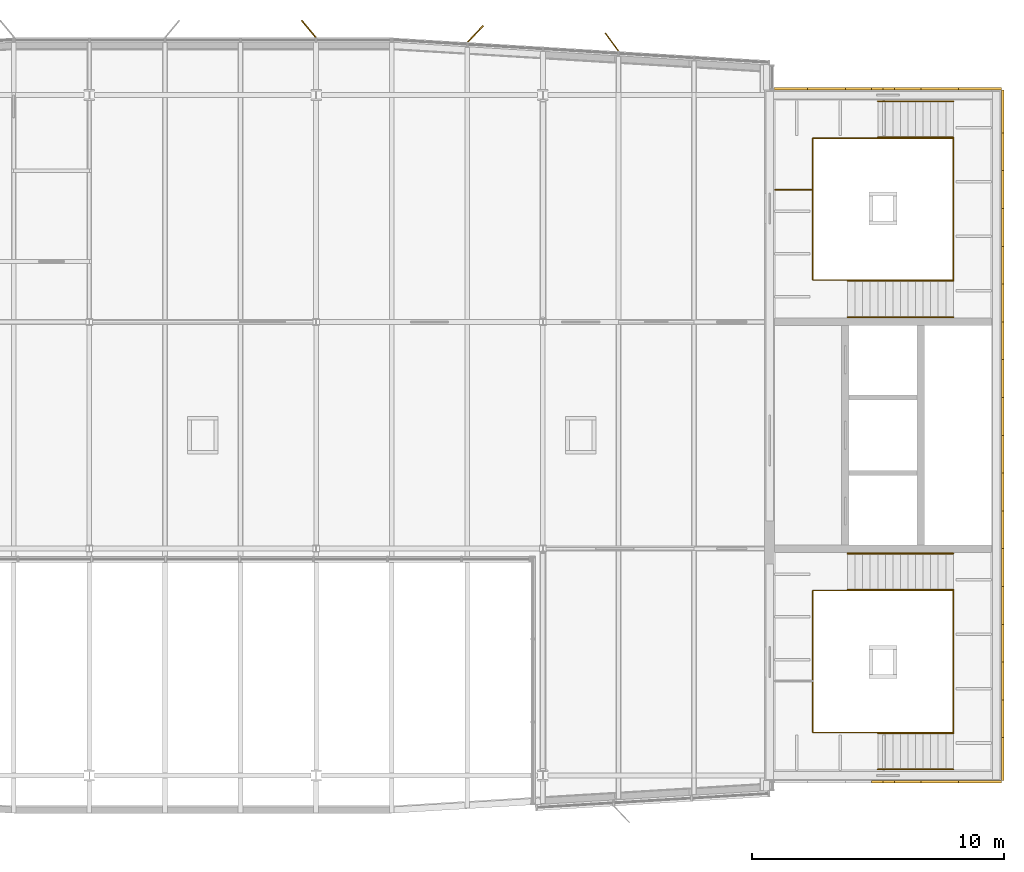
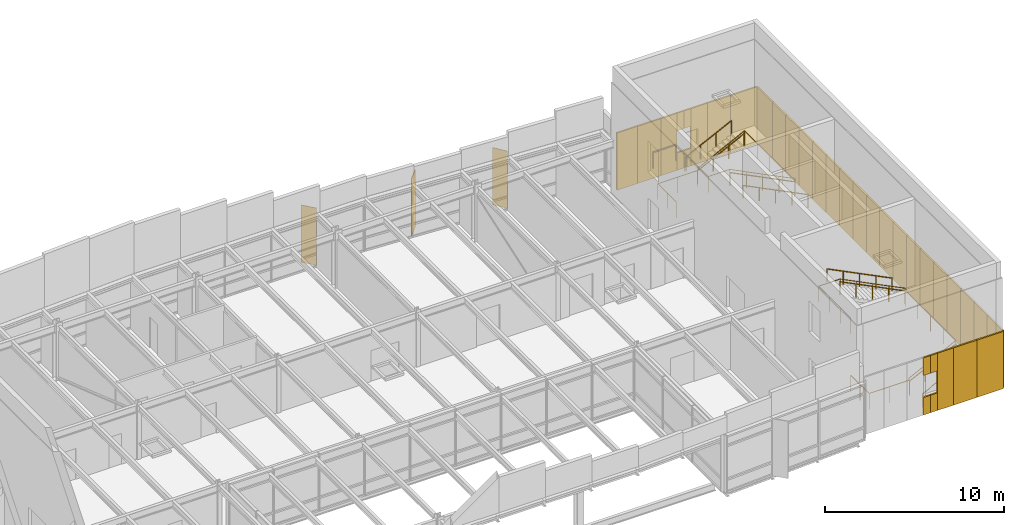
# One storey, part 23 of 23: 35 coverings, 11 railings, 3 shading devices.
"""IFC4 building model written with IfcOpenShell, lengths in metres."""

from ifc_helpers import new_model, si_unit, direction, frame, origin, origin_2d, place, context, subcontext, project, spatial, rectangle, circle, extrude, material, layer, layer_set, type_object, element, save


model = new_model("IFC4")

# Units and contexts
model_context = context("Model", 3, precision=1e-05, world=origin(), true_north=direction((0.0, 1.0)))
body_context = subcontext(model_context, "Body", "Model", "MODEL_VIEW")
ifc_project = project(units=[si_unit("LENGTHUNIT", "METRE"), si_unit("AREAUNIT", "SQUARE_METRE"), si_unit("VOLUMEUNIT", "CUBIC_METRE"), si_unit("PLANEANGLEUNIT", "RADIAN"), si_unit("MASSUNIT", "GRAM", prefix="KILO")], contexts=[model_context])

# Site, building, storey
site_placement = place(None, origin())
site = spatial("IfcSite", under=ifc_project, at=site_placement, CompositionType="ELEMENT")
building_placement = place(site_placement, origin())
building = spatial("IfcBuilding", under=site, at=building_placement, Name="Azimuth Sports and Learning Centre", CompositionType="ELEMENT")
storey_placement = place(building_placement, frame((0.0, 0.0, 75.300048828125)))
storey = spatial("IfcBuildingStorey", under=building, at=storey_placement, Name="L17", CompositionType="ELEMENT", Elevation=75.300048828125)

# Coverings
ifc_material_1 = material(Name="Cladding panel")
ifc_layer_1 = layer(ifc_material_1, 0.10009765625)
ifc_layer_set_1 = layer_set([ifc_layer_1], Name="Cladding panel")
covering_type = type_object("IfcCoveringType", Name="Cladding panel 100", PredefinedType="CLADDING", material=ifc_layer_set_1)
for number, where, z_axis, x_axis, name in (
    (1, (112.27490234375, 89.75, 0.0), (0.0, 0.0, 1.0), (1.0, 0.0, 0.0), "Cladding panel S-CORE E L17 4"),
    (2, (112.27490234375, 89.75, 2.7001953125), (0.0, 0.0, 1.0), (1.0, 0.0, 0.0), "Cladding panel S-CORE E L17 5"),
):
    element("IfcCovering", number, at=place(storey_placement, frame(where, z_axis=z_axis, x_axis=x_axis)), inside=storey, type_object=covering_type, Name=name, PredefinedType="CLADDING", context=body_context, shape_type="SweptSolid", body=[
        extrude(rectangle(XDim=0.449951171875, YDim=0.10009765625, at=origin_2d()), origin(), (0.0, 0.0, 1.0), 1.199951171875),
    ])
covering_1_placement = place(storey_placement, frame((113.47509765625, 89.75, 0.0), z_axis=(0.0, 0.0, 1.0), x_axis=(1.0, 0.0, 0.0)))
element("IfcCovering", 3, at=covering_1_placement, inside=storey, type_object=covering_type, Name="Cladding panel S-CORE E L17 6", PredefinedType="CLADDING", context=body_context, shape_type="SweptSolid", body=[
    extrude(rectangle(XDim=1.050048828125, YDim=0.10009765625, at=origin_2d()), origin(), (0.0, 0.0, 1.0), 3.89990234375),
])
for number, where, z_axis, x_axis, name in (
    (4, (112.72509765625, 89.75, 0.0), (0.0, 0.0, 1.0), (1.0, 0.0, 0.0), "Cladding panel S-CORE E L17 7"),
    (5, (112.72509765625, 89.75, 2.7001953125), (0.0, 0.0, 1.0), (1.0, 0.0, 0.0), "Cladding panel S-CORE E L17 8"),
):
    element("IfcCovering", number, at=place(storey_placement, frame(where, z_axis=z_axis, x_axis=x_axis)), inside=storey, type_object=covering_type, Name=name, PredefinedType="CLADDING", context=body_context, shape_type="SweptSolid", body=[
        extrude(rectangle(XDim=0.449951171875, YDim=0.10009765625, at=origin_2d()), origin(), (0.0, 0.0, 1.0), 1.199951171875),
    ])
covering_2_placement = place(storey_placement, frame((114.75, 89.75, 0.0), z_axis=(0.0, 0.0, 1.0), x_axis=(1.0, 0.0, 0.0)))
element("IfcCovering", 6, at=covering_2_placement, inside=storey, type_object=covering_type, Name="Cladding panel S-CORE E L17 9", PredefinedType="CLADDING", context=body_context, shape_type="SweptSolid", body=[
    extrude(rectangle(XDim=1.5, YDim=0.10009765625, at=origin_2d()), origin(), (0.0, 0.0, 1.0), 3.89990234375),
])
for number, where, z_axis, x_axis, name in (
    (7, (116.35009765625, 89.75, 0.0), (0.0, 0.0, 1.0), (1.0, 0.0, 0.0), "Cladding panel S-CORE E L17 10"),
    (8, (117.25, 90.64990234375, 0.0), (0.0, 0.0, 1.0), (0.0, 1.0, 0.0), "Cladding panel E-CORE E L17 1"),
):
    element("IfcCovering", number, at=place(storey_placement, frame(where, z_axis=z_axis, x_axis=x_axis)), inside=storey, type_object=covering_type, Name=name, PredefinedType="CLADDING", context=body_context, shape_type="SweptSolid", body=[
        extrude(rectangle(XDim=1.699951171875, YDim=0.10009765625, at=origin_2d()), origin(), (0.0, 0.0, 1.0), 3.89990234375),
    ])
for number, where, z_axis, x_axis, name in (
    (9, (117.25, 92.25, 0.0), (0.0, 0.0, 1.0), (0.0, 1.0, 0.0), "Cladding panel E-CORE E L17 2"),
    (10, (117.25, 93.75, 0.0), (0.0, 0.0, 1.0), (0.0, 1.0, 0.0), "Cladding panel E-CORE E L17 3"),
    (11, (117.25, 95.25, 0.0), (0.0, 0.0, 1.0), (0.0, 1.0, 0.0), "Cladding panel E-CORE E L17 4"),
    (12, (117.25, 96.75, 0.0), (0.0, 0.0, 1.0), (0.0, 1.0, 0.0), "Cladding panel E-CORE E L17 5"),
    (13, (117.25, 98.25, 0.0), (0.0, 0.0, 1.0), (0.0, 1.0, 0.0), "Cladding panel E-CORE E L17 6"),
    (14, (117.25, 99.75, 0.0), (0.0, 0.0, 1.0), (0.0, 1.0, 0.0), "Cladding panel E-CORE E L17 7"),
    (15, (117.25, 101.25, 0.0), (0.0, 0.0, 1.0), (0.0, 1.0, 0.0), "Cladding panel E-CORE E L17 8"),
    (16, (117.25, 102.75, 0.0), (0.0, 0.0, 1.0), (0.0, 1.0, 0.0), "Cladding panel E-CORE E L17 9"),
    (17, (117.25, 104.25, 0.0), (0.0, 0.0, 1.0), (0.0, 1.0, 0.0), "Cladding panel E-CORE E L17 10"),
    (18, (117.25, 105.75, 0.0), (0.0, 0.0, 1.0), (0.0, 1.0, 0.0), "Cladding panel E-CORE E L17 11"),
    (19, (117.25, 107.25, 0.0), (0.0, 0.0, 1.0), (0.0, 1.0, 0.0), "Cladding panel E-CORE E L17 12"),
    (20, (117.25, 108.75, 0.0), (0.0, 0.0, 1.0), (0.0, 1.0, 0.0), "Cladding panel E-CORE E L17 13"),
    (21, (117.25, 110.25, 0.0), (0.0, 0.0, 1.0), (0.0, 1.0, 0.0), "Cladding panel E-CORE E L17 14"),
    (22, (117.25, 111.75, 0.0), (0.0, 0.0, 1.0), (0.0, 1.0, 0.0), "Cladding panel E-CORE E L17 15"),
    (23, (117.25, 113.25, 0.0), (0.0, 0.0, 1.0), (0.0, 1.0, 0.0), "Cladding panel E-CORE E L17 16"),
    (24, (117.25, 114.75, 0.0), (0.0, 0.0, 1.0), (0.0, 1.0, 0.0), "Cladding panel E-CORE E L17 17"),
):
    element("IfcCovering", number, at=place(storey_placement, frame(where, z_axis=z_axis, x_axis=x_axis)), inside=storey, type_object=covering_type, Name=name, PredefinedType="CLADDING", context=body_context, shape_type="SweptSolid", body=[
        extrude(rectangle(XDim=1.5, YDim=0.10009765625, at=origin_2d()), origin(), (0.0, 0.0, 1.0), 3.89990234375),
    ])
for number, where, z_axis, x_axis, name in (
    (25, (117.25, 116.35009765625, 0.0), (0.0, 0.0, 1.0), (0.0, 1.0, 0.0), "Cladding panel E-CORE E L17 18"),
    (26, (116.35009765625, 117.25, 0.0), (0.0, 0.0, 1.0), (-1.0, 0.0, 0.0), "Cladding panel N-CORE E L17 1"),
):
    element("IfcCovering", number, at=place(storey_placement, frame(where, z_axis=z_axis, x_axis=x_axis)), inside=storey, type_object=covering_type, Name=name, PredefinedType="CLADDING", context=body_context, shape_type="SweptSolid", body=[
        extrude(rectangle(XDim=1.699951171875, YDim=0.10009765625, at=origin_2d()), origin(), (0.0, 0.0, 1.0), 3.89990234375),
    ])
covering_3_placement = place(storey_placement, frame((114.75, 117.25, 0.0), z_axis=(0.0, 0.0, 1.0), x_axis=(-1.0, 0.0, 0.0)))
element("IfcCovering", 27, at=covering_3_placement, inside=storey, type_object=covering_type, Name="Cladding panel N-CORE E L17 2", PredefinedType="CLADDING", context=body_context, shape_type="SweptSolid", body=[
    extrude(rectangle(XDim=1.5, YDim=0.10009765625, at=origin_2d()), origin(), (0.0, 0.0, 1.0), 3.89990234375),
])
covering_4_placement = place(storey_placement, frame((113.47509765625, 117.25, 0.0), z_axis=(0.0, 0.0, 1.0), x_axis=(-1.0, 0.0, 0.0)))
element("IfcCovering", 28, at=covering_4_placement, inside=storey, type_object=covering_type, Name="Cladding panel N-CORE E L17 3", PredefinedType="CLADDING", context=body_context, shape_type="SweptSolid", body=[
    extrude(rectangle(XDim=1.050048828125, YDim=0.10009765625, at=origin_2d()), origin(), (0.0, 0.0, 1.0), 3.89990234375),
])
for number, where, z_axis, x_axis, name in (
    (29, (112.72509765625, 117.25, 0.0), (0.0, 0.0, 1.0), (-1.0, 0.0, 0.0), "Cladding panel N-CORE E L17 4"),
    (30, (112.72509765625, 117.25, 2.7001953125), (0.0, 0.0, 1.0), (-1.0, 0.0, 0.0), "Cladding panel N-CORE E L17 5"),
):
    element("IfcCovering", number, at=place(storey_placement, frame(where, z_axis=z_axis, x_axis=x_axis)), inside=storey, type_object=covering_type, Name=name, PredefinedType="CLADDING", context=body_context, shape_type="SweptSolid", body=[
        extrude(rectangle(XDim=0.449951171875, YDim=0.10009765625, at=origin_2d()), origin(), (0.0, 0.0, 1.0), 1.199951171875),
    ])
covering_5_placement = place(storey_placement, frame((111.52490234375, 117.25, 0.0), z_axis=(0.0, 0.0, 1.0), x_axis=(-1.0, 0.0, 0.0)))
element("IfcCovering", 31, at=covering_5_placement, inside=storey, type_object=covering_type, Name="Cladding panel N-CORE E L17 6", PredefinedType="CLADDING", context=body_context, shape_type="SweptSolid", body=[
    extrude(rectangle(XDim=1.050048828125, YDim=0.10009765625, at=origin_2d()), origin(), (0.0, 0.0, 1.0), 3.89990234375),
])
for number, where, z_axis, x_axis, name in (
    (32, (112.27490234375, 117.25, 0.0), (0.0, 0.0, 1.0), (-1.0, 0.0, 0.0), "Cladding panel N-CORE E L17 7"),
    (33, (112.27490234375, 117.25, 2.7001953125), (0.0, 0.0, 1.0), (-1.0, 0.0, 0.0), "Cladding panel N-CORE E L17 8"),
):
    element("IfcCovering", number, at=place(storey_placement, frame(where, z_axis=z_axis, x_axis=x_axis)), inside=storey, type_object=covering_type, Name=name, PredefinedType="CLADDING", context=body_context, shape_type="SweptSolid", body=[
        extrude(rectangle(XDim=0.449951171875, YDim=0.10009765625, at=origin_2d()), origin(), (0.0, 0.0, 1.0), 1.199951171875),
    ])
covering_6_placement = place(storey_placement, frame((110.25, 117.25, 0.0), z_axis=(0.0, 0.0, 1.0), x_axis=(-1.0, 0.0, 0.0)))
element("IfcCovering", 34, at=covering_6_placement, inside=storey, type_object=covering_type, Name="Cladding panel N-CORE E L17 9", PredefinedType="CLADDING", context=body_context, shape_type="SweptSolid", body=[
    extrude(rectangle(XDim=1.5, YDim=0.10009765625, at=origin_2d()), origin(), (0.0, 0.0, 1.0), 3.89990234375),
])
covering_7_placement = place(storey_placement, frame((108.840087890625, 117.25, 0.0), z_axis=(0.0, 0.0, 1.0), x_axis=(-1.0, 0.0, 0.0)))
element("IfcCovering", 35, at=covering_7_placement, inside=storey, type_object=covering_type, Name="Cladding panel N-CORE E L17 10", PredefinedType="CLADDING", context=body_context, shape_type="SweptSolid", body=[
    extrude(rectangle(XDim=1.320068359375, YDim=0.10009765625, at=origin_2d()), origin(), (0.0, 0.0, 1.0), 3.89990234375),
])

# Shading devices
ifc_material_2 = material(Name="Aluminium", Category="aluminium")
ifc_layer_2 = layer(ifc_material_2, 0.0400390625)
ifc_layer_set_2 = layer_set([ifc_layer_2], Name="Aluminium")
shading_device_type = type_object("IfcShadingDeviceType", Name="Shading fin 900", PredefinedType="JALOUSIE", material=ifc_layer_set_2)
for number, where, z_axis, x_axis, name in (
    (36, (101.74267578125, 119.10107421875, 0.0), (0.0, 0.0, 1.0), (-0.595753790608, 0.803167118958, 0.0), "Shading fin F17-004"),
    (37, (96.320068359375, 119.426513671875, 0.0), (0.0, 0.0, 1.0), (0.687513645637, 0.726171458447, 0.0), "Shading fin F17-005"),
    (38, (89.710693359375, 119.624755859375, 0.0), (0.0, 0.0, 1.0), (-0.642787609687, 0.766044443119, 0.0), "Shading fin F17-006"),
):
    element("IfcShadingDevice", number, at=place(storey_placement, frame(where, z_axis=z_axis, x_axis=x_axis)), inside=storey, type_object=shading_device_type, Name=name, PredefinedType="JALOUSIE", context=body_context, shape_type="SweptSolid", body=[
        extrude(rectangle(XDim=0.89990234375, YDim=0.0400390625, at=origin_2d()), origin(), (0.0, 0.0, 1.0), 3.89990234375),
    ])

# Railings
ifc_material_3 = material(Name="Stainless steel", Category="steel")
railing_type_1 = type_object("IfcRailingType", Name="Stair guard 1100", PredefinedType="GUARDRAIL", material=ifc_material_3)
railing_1_placement = place(storey_placement, frame((109.7099609375, 93.75, 0.0)))
element("IfcRailing", 39, at=railing_1_placement, inside=storey, type_object=railing_type_1, Name="Guard E1 L17 well", PredefinedType="GUARDRAIL", context=body_context, shape_type="SweptSolid", body=[
    extrude(circle(Radius=0.02392578125, at=origin_2d()), frame((0.0, 0.0, 1.076171875), z_axis=(0.0, -1.0, 0.0), x_axis=(1.0, 0.0, 0.0)), (0.0, 0.0, 1.0), 2.0400390625),
    extrude(circle(Radius=0.02392578125, at=origin_2d()), frame((0.0, -2.0400390625, 1.076171875), z_axis=(1.0, 0.0, 0.0), x_axis=(0.0, 1.0, 0.0)), (0.0, 0.0, 1.0), 2.580078125),
    extrude(circle(Radius=0.02392578125, at=origin_2d()), frame((2.580078125, -2.0400390625, 1.076171875), z_axis=(0.0, 0.0, 1.0), x_axis=(1.0, 0.0, 0.0)), (0.0, 0.0, 1.0), 0.14990234375),
    extrude(circle(Radius=0.02392578125, at=origin_2d()), frame((2.580078125, -2.0400390625, 1.22607421875), z_axis=(0.894427191, 0.0, 0.4472135955), x_axis=(0.0, 1.0, 0.0)), (0.0, 0.0, 1.0), 3.35400390625),
    extrude(circle(Radius=0.02392578125, at=origin_2d()), frame((5.580078125, -2.0400390625, 2.72607421875), z_axis=(0.0, 1.0, 0.0), x_axis=(-1.0, 0.0, 0.0)), (0.0, 0.0, 1.0), 5.630126953125),
    extrude(circle(Radius=0.02392578125, at=origin_2d()), frame((5.580078125, 3.590087890625, 2.72607421875), z_axis=(0.0, 0.0, 1.0), x_axis=(1.0, 0.0, 0.0)), (0.0, 0.0, 1.0), 0.150146484375),
    extrude(circle(Radius=0.02392578125, at=origin_2d()), frame((5.580078125, 3.590087890625, 2.8759765625), z_axis=(-0.894437589381, 0.0, 0.447192798132), x_axis=(0.0, -1.0, 0.0)), (0.0, 0.0, 1.0), 4.695556640625),
    extrude(circle(Radius=0.02392578125, at=origin_2d()), frame((1.380126953125, 3.590087890625, 4.97607421875), z_axis=(-1.0, 0.0, 0.0), x_axis=(0.0, -1.0, 0.0)), (0.0, 0.0, 1.0), 1.380126953125),
    extrude(circle(Radius=0.02392578125, at=origin_2d()), frame((0.0, 3.590087890625, 4.97607421875), z_axis=(0.0, -1.0, 0.0), x_axis=(1.0, 0.0, 0.0)), (0.0, 0.0, 1.0), 3.590087890625),
    extrude(circle(Radius=0.01611328125, at=origin_2d()), origin(), (0.0, 0.0, 1.0), 1.052001953125),
    extrude(circle(Radius=0.01611328125, at=origin_2d()), frame((0.0, -1.02001953125, 0.0)), (0.0, 0.0, 1.0), 1.052001953125),
    extrude(circle(Radius=0.01611328125, at=origin_2d()), frame((0.0, -2.0400390625, 0.0)), (0.0, 0.0, 1.0), 1.052001953125),
    extrude(circle(Radius=0.01611328125, at=origin_2d()), frame((1.2900390625, -2.0400390625, 0.0)), (0.0, 0.0, 1.0), 1.052001953125),
    extrude(circle(Radius=0.01611328125, at=origin_2d()), frame((2.580078125, -2.0400390625, 0.0)), (0.0, 0.0, 1.0), 1.052001953125),
    extrude(circle(Radius=0.01611328125, at=origin_2d()), frame((2.580078125, -2.0400390625, 0.14990234375)), (0.0, 0.0, 1.0), 1.052001953125),
    extrude(circle(Radius=0.01611328125, at=origin_2d()), frame((3.580078125, -2.0400390625, 0.64990234375)), (0.0, 0.0, 1.0), 1.052001953125),
    extrude(circle(Radius=0.01611328125, at=origin_2d()), frame((4.580078125, -2.0400390625, 1.14990234375)), (0.0, 0.0, 1.0), 1.052001953125),
    extrude(circle(Radius=0.01611328125, at=origin_2d()), frame((5.580078125, -2.0400390625, 1.64990234375)), (0.0, 0.0, 1.0), 1.052001953125),
    extrude(circle(Radius=0.01611328125, at=origin_2d()), frame((5.580078125, -0.632568359375, 1.64990234375)), (0.0, 0.0, 1.0), 1.052001953125),
    extrude(circle(Radius=0.01611328125, at=origin_2d()), frame((5.580078125, 0.77490234375, 1.64990234375)), (0.0, 0.0, 1.0), 1.052001953125),
    extrude(circle(Radius=0.01611328125, at=origin_2d()), frame((5.580078125, 2.1826171875, 1.64990234375)), (0.0, 0.0, 1.0), 1.052001953125),
    extrude(circle(Radius=0.01611328125, at=origin_2d()), frame((5.580078125, 3.590087890625, 1.64990234375)), (0.0, 0.0, 1.0), 1.052001953125),
    extrude(circle(Radius=0.01611328125, at=origin_2d()), frame((5.580078125, 3.590087890625, 1.800048828125)), (0.0, 0.0, 1.0), 1.052001953125),
    extrude(circle(Radius=0.01611328125, at=origin_2d()), frame((4.530029296875, 3.590087890625, 2.324951171875)), (0.0, 0.0, 1.0), 1.052001953125),
    extrude(circle(Radius=0.01611328125, at=origin_2d()), frame((3.47998046875, 3.590087890625, 2.85009765625)), (0.0, 0.0, 1.0), 1.052001953125),
    extrude(circle(Radius=0.01611328125, at=origin_2d()), frame((2.43017578125, 3.590087890625, 3.375)), (0.0, 0.0, 1.0), 1.052001953125),
    extrude(circle(Radius=0.01611328125, at=origin_2d()), frame((1.380126953125, 3.590087890625, 3.89990234375)), (0.0, 0.0, 1.0), 1.052001953125),
    extrude(circle(Radius=0.01611328125, at=origin_2d()), frame((0.0, 3.590087890625, 3.89990234375)), (0.0, 0.0, 1.0), 1.052001953125),
    extrude(circle(Radius=0.01611328125, at=origin_2d()), frame((0.0, 2.393310546875, 3.89990234375)), (0.0, 0.0, 1.0), 1.052001953125),
    extrude(circle(Radius=0.01611328125, at=origin_2d()), frame((0.0, 1.19677734375, 3.89990234375)), (0.0, 0.0, 1.0), 1.052001953125),
    extrude(circle(Radius=0.01611328125, at=origin_2d()), frame((0.0, 0.0, 3.89990234375)), (0.0, 0.0, 1.0), 1.052001953125),
])
railing_2_placement = place(storey_placement, frame((109.7099609375, 113.25, 0.0)))
element("IfcRailing", 40, at=railing_2_placement, inside=storey, type_object=railing_type_1, Name="Guard E2 L17 well", PredefinedType="GUARDRAIL", context=body_context, shape_type="SweptSolid", body=[
    extrude(circle(Radius=0.02392578125, at=origin_2d()), frame((0.0, 0.0, 1.076171875), z_axis=(0.0, 1.0, 0.0), x_axis=(-1.0, 0.0, 0.0)), (0.0, 0.0, 1.0), 2.0400390625),
    extrude(circle(Radius=0.02392578125, at=origin_2d()), frame((0.0, 2.0400390625, 1.076171875), z_axis=(1.0, 0.0, 0.0), x_axis=(0.0, 1.0, 0.0)), (0.0, 0.0, 1.0), 2.580078125),
    extrude(circle(Radius=0.02392578125, at=origin_2d()), frame((2.580078125, 2.0400390625, 1.076171875), z_axis=(0.0, 0.0, 1.0), x_axis=(1.0, 0.0, 0.0)), (0.0, 0.0, 1.0), 0.14990234375),
    extrude(circle(Radius=0.02392578125, at=origin_2d()), frame((2.580078125, 2.0400390625, 1.22607421875), z_axis=(0.894427191, 0.0, 0.4472135955), x_axis=(0.0, 1.0, 0.0)), (0.0, 0.0, 1.0), 3.35400390625),
    extrude(circle(Radius=0.02392578125, at=origin_2d()), frame((5.580078125, 2.0400390625, 2.72607421875), z_axis=(0.0, -1.0, 0.0), x_axis=(1.0, 0.0, 0.0)), (0.0, 0.0, 1.0), 5.630126953125),
    extrude(circle(Radius=0.02392578125, at=origin_2d()), frame((5.580078125, -3.590087890625, 2.72607421875), z_axis=(0.0, 0.0, 1.0), x_axis=(1.0, 0.0, 0.0)), (0.0, 0.0, 1.0), 0.150146484375),
    extrude(circle(Radius=0.02392578125, at=origin_2d()), frame((5.580078125, -3.590087890625, 2.8759765625), z_axis=(-0.894437589381, 0.0, 0.447192798132), x_axis=(0.0, -1.0, 0.0)), (0.0, 0.0, 1.0), 4.695556640625),
    extrude(circle(Radius=0.02392578125, at=origin_2d()), frame((1.380126953125, -3.590087890625, 4.97607421875), z_axis=(-1.0, 0.0, 0.0), x_axis=(0.0, -1.0, 0.0)), (0.0, 0.0, 1.0), 1.380126953125),
    extrude(circle(Radius=0.02392578125, at=origin_2d()), frame((0.0, -3.590087890625, 4.97607421875), z_axis=(0.0, 1.0, 0.0), x_axis=(-1.0, 0.0, 0.0)), (0.0, 0.0, 1.0), 3.590087890625),
    extrude(circle(Radius=0.01611328125, at=origin_2d()), origin(), (0.0, 0.0, 1.0), 1.052001953125),
    extrude(circle(Radius=0.01611328125, at=origin_2d()), frame((0.0, 1.02001953125, 0.0)), (0.0, 0.0, 1.0), 1.052001953125),
    extrude(circle(Radius=0.01611328125, at=origin_2d()), frame((0.0, 2.0400390625, 0.0)), (0.0, 0.0, 1.0), 1.052001953125),
    extrude(circle(Radius=0.01611328125, at=origin_2d()), frame((1.2900390625, 2.0400390625, 0.0)), (0.0, 0.0, 1.0), 1.052001953125),
    extrude(circle(Radius=0.01611328125, at=origin_2d()), frame((2.580078125, 2.0400390625, 0.0)), (0.0, 0.0, 1.0), 1.052001953125),
    extrude(circle(Radius=0.01611328125, at=origin_2d()), frame((2.580078125, 2.0400390625, 0.14990234375)), (0.0, 0.0, 1.0), 1.052001953125),
    extrude(circle(Radius=0.01611328125, at=origin_2d()), frame((3.580078125, 2.0400390625, 0.64990234375)), (0.0, 0.0, 1.0), 1.052001953125),
    extrude(circle(Radius=0.01611328125, at=origin_2d()), frame((4.580078125, 2.0400390625, 1.14990234375)), (0.0, 0.0, 1.0), 1.052001953125),
    extrude(circle(Radius=0.01611328125, at=origin_2d()), frame((5.580078125, 2.0400390625, 1.64990234375)), (0.0, 0.0, 1.0), 1.052001953125),
    extrude(circle(Radius=0.01611328125, at=origin_2d()), frame((5.580078125, 0.632568359375, 1.64990234375)), (0.0, 0.0, 1.0), 1.052001953125),
    extrude(circle(Radius=0.01611328125, at=origin_2d()), frame((5.580078125, -0.77490234375, 1.64990234375)), (0.0, 0.0, 1.0), 1.052001953125),
    extrude(circle(Radius=0.01611328125, at=origin_2d()), frame((5.580078125, -2.1826171875, 1.64990234375)), (0.0, 0.0, 1.0), 1.052001953125),
    extrude(circle(Radius=0.01611328125, at=origin_2d()), frame((5.580078125, -3.590087890625, 1.64990234375)), (0.0, 0.0, 1.0), 1.052001953125),
    extrude(circle(Radius=0.01611328125, at=origin_2d()), frame((5.580078125, -3.590087890625, 1.800048828125)), (0.0, 0.0, 1.0), 1.052001953125),
    extrude(circle(Radius=0.01611328125, at=origin_2d()), frame((4.530029296875, -3.590087890625, 2.324951171875)), (0.0, 0.0, 1.0), 1.052001953125),
    extrude(circle(Radius=0.01611328125, at=origin_2d()), frame((3.47998046875, -3.590087890625, 2.85009765625)), (0.0, 0.0, 1.0), 1.052001953125),
    extrude(circle(Radius=0.01611328125, at=origin_2d()), frame((2.43017578125, -3.590087890625, 3.375)), (0.0, 0.0, 1.0), 1.052001953125),
    extrude(circle(Radius=0.01611328125, at=origin_2d()), frame((1.380126953125, -3.590087890625, 3.89990234375)), (0.0, 0.0, 1.0), 1.052001953125),
    extrude(circle(Radius=0.01611328125, at=origin_2d()), frame((0.0, -3.590087890625, 3.89990234375)), (0.0, 0.0, 1.0), 1.052001953125),
    extrude(circle(Radius=0.01611328125, at=origin_2d()), frame((0.0, -2.393310546875, 3.89990234375)), (0.0, 0.0, 1.0), 1.052001953125),
    extrude(circle(Radius=0.01611328125, at=origin_2d()), frame((0.0, -1.19677734375, 3.89990234375)), (0.0, 0.0, 1.0), 1.052001953125),
    extrude(circle(Radius=0.01611328125, at=origin_2d()), frame((0.0, 0.0, 3.89990234375)), (0.0, 0.0, 1.0), 1.052001953125),
])
railing_3_placement = place(storey_placement, frame((108.2099609375, 113.25, 3.89990234375)))
element("IfcRailing", 41, at=railing_3_placement, inside=storey, type_object=railing_type_1, Name="Guard E2 L17 top landing end", PredefinedType="GUARDRAIL", context=body_context, shape_type="SweptSolid", body=[
    extrude(circle(Radius=0.02392578125, at=origin_2d()), frame((0.0, 0.0, 1.076171875), z_axis=(1.0, 0.0, 0.0), x_axis=(0.0, 1.0, 0.0)), (0.0, 0.0, 1.0), 1.5),
    extrude(circle(Radius=0.01611328125, at=origin_2d()), origin(), (0.0, 0.0, 1.0), 1.052001953125),
    extrude(circle(Radius=0.01611328125, at=origin_2d()), frame((1.5, 0.0, 0.0)), (0.0, 0.0, 1.0), 1.052001953125),
])
ifc_material_4 = material(Name="Stainless steel", Category="steel")
railing_type_2 = type_object("IfcRailingType", Name="Stair handrail 42", PredefinedType="HANDRAIL", material=ifc_material_4)
for number, where, name in (
    (42, (112.2900390625, 91.679931640625, 0.14990234375), "Handrail E1 L17 flight 1 inner"),
    (43, (112.2900390625, 90.239990234375, 0.14990234375), "Handrail E1 L17 flight 1 outer"),
):
    element("IfcRailing", number, at=place(storey_placement, frame(where)), inside=storey, type_object=railing_type_2, Name=name, PredefinedType="HANDRAIL", context=body_context, shape_type="SweptSolid", body=[
        extrude(circle(Radius=0.02099609375, at=origin_2d()), frame((0.0, 0.0, 0.87890625), z_axis=(0.894427191, 0.0, 0.4472135955), x_axis=(0.0, 1.0, 0.0)), (0.0, 0.0, 1.0), 3.35400390625),
        extrude(circle(Radius=0.01611328125, at=origin_2d()), origin(), (0.0, 0.0, 1.0), 0.85791015625),
        extrude(circle(Radius=0.01611328125, at=origin_2d()), frame((1.0, 0.0, 0.5)), (0.0, 0.0, 1.0), 0.85791015625),
        extrude(circle(Radius=0.01611328125, at=origin_2d()), frame((2.0, 0.0, 1.0)), (0.0, 0.0, 1.0), 0.85791015625),
        extrude(circle(Radius=0.01611328125, at=origin_2d()), frame((3.0, 0.0, 1.5)), (0.0, 0.0, 1.0), 0.85791015625),
    ])
for number, where, name in (
    (44, (115.2900390625, 97.3701171875, 1.800048828125), "Handrail E1 L17 flight 2 inner"),
    (45, (115.2900390625, 98.81005859375, 1.800048828125), "Handrail E1 L17 flight 2 outer"),
):
    element("IfcRailing", number, at=place(storey_placement, frame(where)), inside=storey, type_object=railing_type_2, Name=name, PredefinedType="HANDRAIL", context=body_context, shape_type="SweptSolid", body=[
        extrude(circle(Radius=0.02099609375, at=origin_2d()), frame((0.0, 0.0, 0.87890625), z_axis=(-0.894437589381, 0.0, 0.447192798132), x_axis=(0.0, -1.0, 0.0)), (0.0, 0.0, 1.0), 4.695556640625),
        extrude(circle(Radius=0.01611328125, at=origin_2d()), origin(), (0.0, 0.0, 1.0), 0.85791015625),
        extrude(circle(Radius=0.01611328125, at=origin_2d()), frame((-1.050048828125, 0.0, 0.52490234375)), (0.0, 0.0, 1.0), 0.85791015625),
        extrude(circle(Radius=0.01611328125, at=origin_2d()), frame((-2.10009765625, 0.0, 1.0498046875)), (0.0, 0.0, 1.0), 0.85791015625),
        extrude(circle(Radius=0.01611328125, at=origin_2d()), frame((-3.14990234375, 0.0, 1.574951171875)), (0.0, 0.0, 1.0), 0.85791015625),
        extrude(circle(Radius=0.01611328125, at=origin_2d()), frame((-4.199951171875, 0.0, 2.099853515625)), (0.0, 0.0, 1.0), 0.85791015625),
    ])
for number, where, name in (
    (46, (112.2900390625, 115.320068359375, 0.14990234375), "Handrail E2 L17 flight 1 inner"),
    (47, (112.2900390625, 116.760009765625, 0.14990234375), "Handrail E2 L17 flight 1 outer"),
):
    element("IfcRailing", number, at=place(storey_placement, frame(where)), inside=storey, type_object=railing_type_2, Name=name, PredefinedType="HANDRAIL", context=body_context, shape_type="SweptSolid", body=[
        extrude(circle(Radius=0.02099609375, at=origin_2d()), frame((0.0, 0.0, 0.87890625), z_axis=(0.894427191, 0.0, 0.4472135955), x_axis=(0.0, 1.0, 0.0)), (0.0, 0.0, 1.0), 3.35400390625),
        extrude(circle(Radius=0.01611328125, at=origin_2d()), origin(), (0.0, 0.0, 1.0), 0.85791015625),
        extrude(circle(Radius=0.01611328125, at=origin_2d()), frame((1.0, 0.0, 0.5)), (0.0, 0.0, 1.0), 0.85791015625),
        extrude(circle(Radius=0.01611328125, at=origin_2d()), frame((2.0, 0.0, 1.0)), (0.0, 0.0, 1.0), 0.85791015625),
        extrude(circle(Radius=0.01611328125, at=origin_2d()), frame((3.0, 0.0, 1.5)), (0.0, 0.0, 1.0), 0.85791015625),
    ])
for number, where, name in (
    (48, (115.2900390625, 109.6298828125, 1.800048828125), "Handrail E2 L17 flight 2 inner"),
    (49, (115.2900390625, 108.18994140625, 1.800048828125), "Handrail E2 L17 flight 2 outer"),
):
    element("IfcRailing", number, at=place(storey_placement, frame(where)), inside=storey, type_object=railing_type_2, Name=name, PredefinedType="HANDRAIL", context=body_context, shape_type="SweptSolid", body=[
        extrude(circle(Radius=0.02099609375, at=origin_2d()), frame((0.0, 0.0, 0.87890625), z_axis=(-0.894437589381, 0.0, 0.447192798132), x_axis=(0.0, -1.0, 0.0)), (0.0, 0.0, 1.0), 4.695556640625),
        extrude(circle(Radius=0.01611328125, at=origin_2d()), origin(), (0.0, 0.0, 1.0), 0.85791015625),
        extrude(circle(Radius=0.01611328125, at=origin_2d()), frame((-1.050048828125, 0.0, 0.52490234375)), (0.0, 0.0, 1.0), 0.85791015625),
        extrude(circle(Radius=0.01611328125, at=origin_2d()), frame((-2.10009765625, 0.0, 1.0498046875)), (0.0, 0.0, 1.0), 0.85791015625),
        extrude(circle(Radius=0.01611328125, at=origin_2d()), frame((-3.14990234375, 0.0, 1.574951171875)), (0.0, 0.0, 1.0), 0.85791015625),
        extrude(circle(Radius=0.01611328125, at=origin_2d()), frame((-4.199951171875, 0.0, 2.099853515625)), (0.0, 0.0, 1.0), 0.85791015625),
    ])

save(model, "model.ifc")
